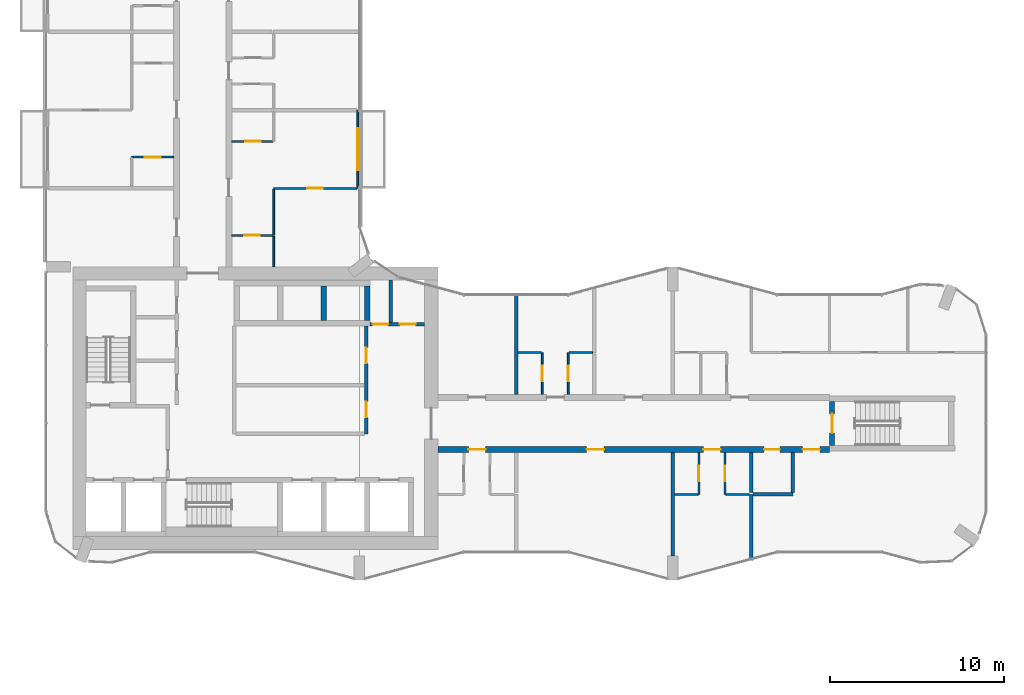
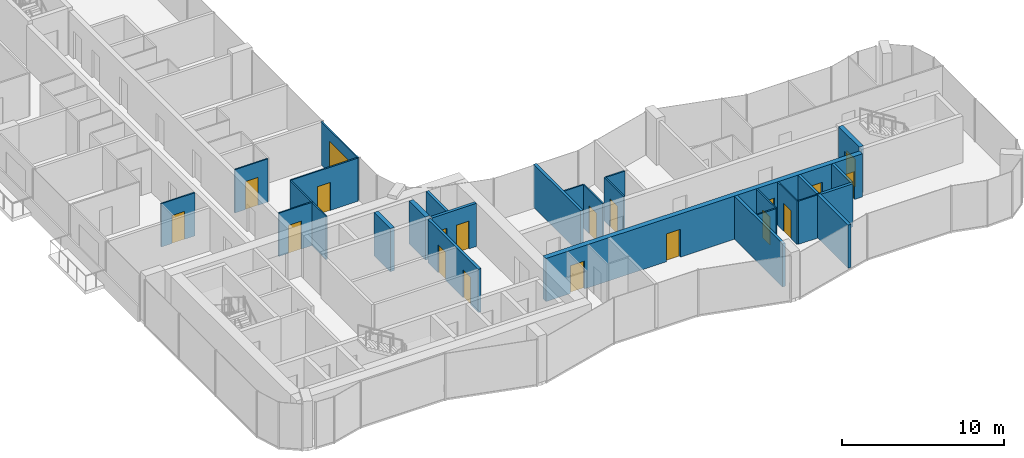
# One storey, part 14 of 22: 28 walls, 19 doors, 19 openings.
"""IFC4 building model written with IfcOpenShell, lengths in metres."""

from ifc_helpers import new_model, si_unit, direction, frame, frame_2d, origin, place, context, subcontext, project, spatial, rectangle, extrude, material, layer, layer_set, type_object, element, fill, save


model = new_model("IFC4")

# Units and contexts
model_context = context("Model", 3, precision=1e-05, world=origin(), true_north=direction((0.0, 1.0)))
body_context = subcontext(model_context, "Body", "Model", "MODEL_VIEW")
ifc_project = project(units=[si_unit("LENGTHUNIT", "METRE"), si_unit("AREAUNIT", "SQUARE_METRE"), si_unit("VOLUMEUNIT", "CUBIC_METRE"), si_unit("PLANEANGLEUNIT", "RADIAN"), si_unit("MASSUNIT", "GRAM", prefix="KILO")], contexts=[model_context])

# Site, building, storey
site_placement = place(None, origin())
site = spatial("IfcSite", under=ifc_project, at=site_placement, CompositionType="ELEMENT")
building_placement = place(site_placement, origin())
building = spatial("IfcBuilding", under=site, at=building_placement, Name="Plateau Cross Towers", CompositionType="ELEMENT")
storey_placement = place(building_placement, frame((0.0, 0.0, 58.300048828125)))
storey = spatial("IfcBuildingStorey", under=building, at=storey_placement, Name="L14", CompositionType="ELEMENT", Elevation=58.300048828125)

# Wall, opening, door
ifc_material_1 = material(Name="Aluminium framed glazing", Category="aluminium")
ifc_layer_1 = layer(ifc_material_1, 0.10009765625)
ifc_layer_set_1 = layer_set([ifc_layer_1], Name="Aluminium framed glazing")
wall_type_1 = type_object("IfcWallType", Name="Balcony screen wall 100", PredefinedType="STANDARD", material=ifc_layer_set_1)
wall_1_placement = place(storey_placement, frame((17.89990234375, 27.0, 0.0), z_axis=(0.0, 0.0, 1.0), x_axis=(0.0, -1.0, 0.0)))
wall_1 = element("IfcWall", 1, at=wall_1_placement, inside=storey, type_object=wall_type_1, Name="Balcony screen wall A-BAL-L14-04", PredefinedType="STANDARD", context=body_context, shape_type="SweptSolid", body=[
    extrude(rectangle(XDim=4.5, YDim=0.10009765625, at=frame_2d((2.25, 0.0))), origin(), (0.0, 0.0, 1.0), 3.25),
])
opening_1_placement = place(wall_1_placement, frame((1.050048828125, 0.0, 0.0)))
opening_1 = element("IfcOpeningElement", 2, at=opening_1_placement, cuts=wall_1, Name="Opening D-B24", PredefinedType="OPENING", context=body_context, shape_type="SweptSolid", body=[
    extrude(rectangle(XDim=2.39990234375, YDim=2.39990234375, at=frame_2d((1.199951171875, 1.199951171875))), frame((0.0, 0.06005859375, 0.0), z_axis=(0.0, -1.0, 0.0), x_axis=(1.0, 0.0, 0.0)), (0.0, 0.0, 1.0), 0.1201171875),
])
ifc_material_2 = material(Name="Aluminium frame, double glazing", Category="aluminium")
door_type_1 = type_object("IfcDoorType", Name="Balcony sliding door 2400", OperationType="NOTDEFINED", PredefinedType="DOOR", material=ifc_material_2)
door_1_placement = place(opening_1_placement, origin())
door_1 = element("IfcDoor", 3, at=door_1_placement, inside=storey, type_object=door_type_1, Name="Balcony door A-BAL-L14-04", OperationType="SINGLE_SWING_LEFT", OverallHeight=2.39990234375, OverallWidth=2.39990234375, PredefinedType="DOOR", context=body_context, shape_type="SweptSolid", body=[
    extrude(rectangle(XDim=2.39990234375, YDim=2.39990234375, at=frame_2d((1.199951171875, 1.199951171875))), frame((0.0, 0.02490234375, 0.0), z_axis=(0.0, -1.0, 0.0), x_axis=(1.0, 0.0, 0.0)), (0.0, 0.0, 1.0), 0.050048828125),
])
fill(opening_1, door_1)

# Wall, openings, doors
ifc_material_3 = material(Name="Concrete block, plastered both sides", Category="concrete")
ifc_layer_2 = layer(ifc_material_3, 0.199951171875)
ifc_layer_set_2 = layer_set([ifc_layer_2], Name="Concrete block, plastered both sides")
wall_type_2 = type_object("IfcWallType", Name="Core partition 200", PredefinedType="PARTITIONING", material=ifc_layer_set_2)
wall_2_placement = place(storey_placement, frame((18.39990234375, 8.39990234375, 0.0), z_axis=(0.0, 0.0, 1.0), x_axis=(0.0, 1.0, 0.0)))
wall_2 = element("IfcWall", 4, at=wall_2_placement, inside=storey, type_object=wall_type_2, Name="Core partition", PredefinedType="PARTITIONING", context=body_context, shape_type="SweptSolid", body=[
    extrude(rectangle(XDim=6.2001953125, YDim=0.199951171875, at=frame_2d((3.10009765625, 0.0))), origin(), (0.0, 0.0, 1.0), 3.25),
])
opening_2_placement = place(wall_2_placement, frame((0.949951171875, 0.0, 0.0)))
opening_2 = element("IfcOpeningElement", 5, at=opening_2_placement, cuts=wall_2, Name="Opening RD1", PredefinedType="OPENING", context=body_context, shape_type="SweptSolid", body=[
    extrude(rectangle(XDim=0.89990234375, YDim=2.10009765625, at=frame_2d((0.449951171875, 1.050048828125))), frame((0.0, 0.10986328125, 0.0), z_axis=(0.0, -1.0, 0.0), x_axis=(1.0, 0.0, 0.0)), (0.0, 0.0, 1.0), 0.219970703125),
])
opening_3_placement = place(wall_2_placement, frame((4.050048828125, 0.0, 0.0)))
opening_3 = element("IfcOpeningElement", 6, at=opening_3_placement, cuts=wall_2, Name="Opening RD1", PredefinedType="OPENING", context=body_context, shape_type="SweptSolid", body=[
    extrude(rectangle(XDim=0.89990234375, YDim=2.10009765625, at=frame_2d((0.449951171875, 1.050048828125))), frame((0.0, 0.10986328125, 0.0), z_axis=(0.0, -1.0, 0.0), x_axis=(1.0, 0.0, 0.0)), (0.0, 0.0, 1.0), 0.219970703125),
])
ifc_material_4 = material(Name="Timber, fire-resisting leaf", Category="wood")
door_type_2 = type_object("IfcDoorType", Name="Core service door 900", OperationType="NOTDEFINED", PredefinedType="DOOR", material=ifc_material_4)
door_2_placement = place(opening_2_placement, origin())
door_2 = element("IfcDoor", 7, at=door_2_placement, inside=storey, type_object=door_type_2, Name="Core service door RD1", OperationType="SINGLE_SWING_LEFT", OverallHeight=2.10009765625, OverallWidth=0.89990234375, PredefinedType="DOOR", context=body_context, shape_type="SweptSolid", body=[
    extrude(rectangle(XDim=0.89990234375, YDim=2.10009765625, at=frame_2d((0.449951171875, 1.050048828125))), frame((0.0, 0.02490234375, 0.0), z_axis=(0.0, -1.0, 0.0), x_axis=(1.0, 0.0, 0.0)), (0.0, 0.0, 1.0), 0.050048828125),
])
fill(opening_2, door_2)
door_3_placement = place(opening_3_placement, origin())
door_3 = element("IfcDoor", 8, at=door_3_placement, inside=storey, type_object=door_type_2, Name="Core service door RD1", OperationType="SINGLE_SWING_LEFT", OverallHeight=2.10009765625, OverallWidth=0.89990234375, PredefinedType="DOOR", context=body_context, shape_type="SweptSolid", body=[
    extrude(rectangle(XDim=0.89990234375, YDim=2.10009765625, at=frame_2d((0.449951171875, 1.050048828125))), frame((0.0, 0.02490234375, 0.0), z_axis=(0.0, -1.0, 0.0), x_axis=(1.0, 0.0, 0.0)), (0.0, 0.0, 1.0), 0.050048828125),
])
fill(opening_3, door_3)

wall_3_placement = place(storey_placement, frame((18.60009765625, 14.699951171875, 0.0), z_axis=(0.0, 0.0, 1.0), x_axis=(1.0, 0.0, 0.0)))
wall_3 = element("IfcWall", 9, at=wall_3_placement, inside=storey, type_object=wall_type_2, Name="Core partition", PredefinedType="PARTITIONING", context=body_context, shape_type="SweptSolid", body=[
    extrude(rectangle(XDim=3.14990234375, YDim=0.199951171875, at=frame_2d((1.574951171875, 0.0))), origin(), (0.0, 0.0, 1.0), 3.25),
])
opening_4_placement = place(wall_3_placement, frame((0.14990234375, 0.0, 0.0)))
opening_4 = element("IfcOpeningElement", 10, at=opening_4_placement, cuts=wall_3, Name="Opening RD2", PredefinedType="OPENING", context=body_context, shape_type="SweptSolid", body=[
    extrude(rectangle(XDim=0.89990234375, YDim=2.10009765625, at=frame_2d((0.449951171875, 1.050048828125))), frame((0.0, 0.10986328125, 0.0), z_axis=(0.0, -1.0, 0.0), x_axis=(1.0, 0.0, 0.0)), (0.0, 0.0, 1.0), 0.219970703125),
])
opening_5_placement = place(wall_3_placement, frame((1.72509765625, 0.0, 0.0)))
opening_5 = element("IfcOpeningElement", 11, at=opening_5_placement, cuts=wall_3, Name="Opening RD2", PredefinedType="OPENING", context=body_context, shape_type="SweptSolid", body=[
    extrude(rectangle(XDim=0.89990234375, YDim=2.10009765625, at=frame_2d((0.449951171875, 1.050048828125))), frame((0.0, 0.10986328125, 0.0), z_axis=(0.0, -1.0, 0.0), x_axis=(1.0, 0.0, 0.0)), (0.0, 0.0, 1.0), 0.219970703125),
])
ifc_material_5 = material(Name="Steel, fire-resisting leaf", Category="steel")
door_type_3 = type_object("IfcDoorType", Name="Core riser door 900", OperationType="NOTDEFINED", PredefinedType="DOOR", material=ifc_material_5)
door_4_placement = place(opening_4_placement, origin())
door_4 = element("IfcDoor", 12, at=door_4_placement, inside=storey, type_object=door_type_3, Name="Core riser door RD2", OperationType="SINGLE_SWING_LEFT", OverallHeight=2.10009765625, OverallWidth=0.89990234375, PredefinedType="DOOR", context=body_context, shape_type="SweptSolid", body=[
    extrude(rectangle(XDim=0.89990234375, YDim=2.10009765625, at=frame_2d((0.449951171875, 1.050048828125))), frame((0.0, 0.02490234375, 0.0), z_axis=(0.0, -1.0, 0.0), x_axis=(1.0, 0.0, 0.0)), (0.0, 0.0, 1.0), 0.050048828125),
])
fill(opening_4, door_4)
door_5_placement = place(opening_5_placement, origin())
door_5 = element("IfcDoor", 13, at=door_5_placement, inside=storey, type_object=door_type_3, Name="Core riser door RD2", OperationType="SINGLE_SWING_LEFT", OverallHeight=2.10009765625, OverallWidth=0.89990234375, PredefinedType="DOOR", context=body_context, shape_type="SweptSolid", body=[
    extrude(rectangle(XDim=0.89990234375, YDim=2.10009765625, at=frame_2d((0.449951171875, 1.050048828125))), frame((0.0, 0.02490234375, 0.0), z_axis=(0.0, -1.0, 0.0), x_axis=(1.0, 0.0, 0.0)), (0.0, 0.0, 1.0), 0.050048828125),
])
fill(opening_5, door_5)

# Walls
wall_4_placement = place(storey_placement, frame((19.800048828125, 14.800048828125, 0.0), z_axis=(0.0, 0.0, 1.0), x_axis=(0.0, 1.0, 0.0)))
element("IfcWall", 14, at=wall_4_placement, inside=storey, type_object=wall_type_2, Name="Core partition", PredefinedType="PARTITIONING", context=body_context, shape_type="SweptSolid", body=[
    extrude(rectangle(XDim=2.449951171875, YDim=0.199951171875, at=frame_2d((1.22509765625, 0.0))), origin(), (0.0, 0.0, 1.0), 3.25),
])
ifc_material_6 = material(Name="Concrete C60/75", Category="concrete")
ifc_layer_3 = layer(ifc_material_6, 0.300048828125)
ifc_layer_set_3 = layer_set([ifc_layer_3], Name="Concrete C60/75")
wall_type_3 = type_object("IfcWallType", Name="Core shaft wall 300", PredefinedType="SHEAR", material=ifc_layer_set_3)
for number, where, z_axis, x_axis, name in (
    (15, (15.949951171875, 14.89990234375, 0.0), (0.0, 0.0, 1.0), (0.0, 1.0, 0.0), "A-nb-v3@L14"),
    (16, (18.449951171875, 14.89990234375, 0.0), (0.0, 0.0, 1.0), (0.0, 1.0, 0.0), "A-nb-v4@L14"),
):
    element("IfcWall", number, at=place(storey_placement, frame(where, z_axis=z_axis, x_axis=x_axis)), inside=storey, type_object=wall_type_3, Name=name, PredefinedType="SHEAR", context=body_context, shape_type="SweptSolid", body=[
        extrude(rectangle(XDim=2.0, YDim=0.300048828125, at=frame_2d((1.0, 0.0))), origin(), (0.0, 0.0, 1.0), 3.25),
    ])

# Wall, openings, doors
ifc_layer_4 = layer(ifc_material_6, 0.35009765625)
ifc_layer_set_4 = layer_set([ifc_layer_4], Name="Concrete C60/75")
wall_type_4 = type_object("IfcWallType", Name="Corridor wall 350", PredefinedType="SHEAR", material=ifc_layer_set_4)
wall_5_placement = place(storey_placement, frame((22.5, 7.5, 0.0), z_axis=(0.0, 0.0, 1.0), x_axis=(1.0, 0.0, 0.0)))
wall_5 = element("IfcWall", 17, at=wall_5_placement, inside=storey, type_object=wall_type_4, Name="A-cw-S1@L14", PredefinedType="SHEAR", context=body_context, shape_type="SweptSolid", body=[
    extrude(rectangle(XDim=22.5, YDim=0.35009765625, at=frame_2d((11.25, 0.0))), origin(), (0.0, 0.0, 1.0), 3.25),
])
opening_6_placement = place(wall_5_placement, frame((1.75, 0.0, 0.0)))
opening_6 = element("IfcOpeningElement", 18, at=opening_6_placement, cuts=wall_5, Name="Opening 14-01", PredefinedType="OPENING", context=body_context, shape_type="SweptSolid", body=[
    extrude(rectangle(XDim=1.0, YDim=2.10009765625, at=frame_2d((0.5, 1.050048828125))), frame((0.0, 0.18505859375, 0.0), z_axis=(0.0, -1.0, 0.0), x_axis=(1.0, 0.0, 0.0)), (0.0, 0.0, 1.0), 0.3701171875),
])
opening_7_placement = place(wall_5_placement, frame((8.550048828125, 0.0, 0.0)))
opening_7 = element("IfcOpeningElement", 19, at=opening_7_placement, cuts=wall_5, Name="Opening 14-02", PredefinedType="OPENING", context=body_context, shape_type="SweptSolid", body=[
    extrude(rectangle(XDim=1.0, YDim=2.10009765625, at=frame_2d((0.5, 1.050048828125))), frame((0.0, 0.18505859375, 0.0), z_axis=(0.0, -1.0, 0.0), x_axis=(1.0, 0.0, 0.0)), (0.0, 0.0, 1.0), 0.3701171875),
])
opening_8_placement = place(wall_5_placement, frame((15.25, 0.0, 0.0)))
opening_8 = element("IfcOpeningElement", 20, at=opening_8_placement, cuts=wall_5, Name="Opening 14-03", PredefinedType="OPENING", context=body_context, shape_type="SweptSolid", body=[
    extrude(rectangle(XDim=1.0, YDim=2.10009765625, at=frame_2d((0.5, 1.050048828125))), frame((0.0, 0.18505859375, 0.0), z_axis=(0.0, -1.0, 0.0), x_axis=(1.0, 0.0, 0.0)), (0.0, 0.0, 1.0), 0.3701171875),
])
opening_9_placement = place(wall_5_placement, frame((18.75, 0.0, 0.0)))
opening_9 = element("IfcOpeningElement", 21, at=opening_9_placement, cuts=wall_5, Name="Opening 14-04", PredefinedType="OPENING", context=body_context, shape_type="SweptSolid", body=[
    extrude(rectangle(XDim=0.89990234375, YDim=2.10009765625, at=frame_2d((0.449951171875, 1.050048828125))), frame((0.0, 0.18505859375, 0.0), z_axis=(0.0, -1.0, 0.0), x_axis=(1.0, 0.0, 0.0)), (0.0, 0.0, 1.0), 0.3701171875),
])
opening_10_placement = place(wall_5_placement, frame((20.949951171875, 0.0, 0.0)))
opening_10 = element("IfcOpeningElement", 22, at=opening_10_placement, cuts=wall_5, Name="Opening 14-05", PredefinedType="OPENING", context=body_context, shape_type="SweptSolid", body=[
    extrude(rectangle(XDim=1.0, YDim=2.10009765625, at=frame_2d((0.5, 1.050048828125))), frame((0.0, 0.18505859375, 0.0), z_axis=(0.0, -1.0, 0.0), x_axis=(1.0, 0.0, 0.0)), (0.0, 0.0, 1.0), 0.3701171875),
])
door_type_4 = type_object("IfcDoorType", Name="Flat entrance door 1000", OperationType="NOTDEFINED", PredefinedType="DOOR", material=ifc_material_4)
door_6_placement = place(opening_6_placement, origin())
door_6 = element("IfcDoor", 23, at=door_6_placement, inside=storey, type_object=door_type_4, Name="Door 14-01", OperationType="SINGLE_SWING_LEFT", OverallHeight=2.10009765625, OverallWidth=1.0, PredefinedType="DOOR", context=body_context, shape_type="SweptSolid", body=[
    extrude(rectangle(XDim=1.0, YDim=2.10009765625, at=frame_2d((0.5, 1.050048828125))), frame((0.0, 0.02490234375, 0.0), z_axis=(0.0, -1.0, 0.0), x_axis=(1.0, 0.0, 0.0)), (0.0, 0.0, 1.0), 0.050048828125),
])
fill(opening_6, door_6)
door_7_placement = place(opening_7_placement, origin())
door_7 = element("IfcDoor", 24, at=door_7_placement, inside=storey, type_object=door_type_4, Name="Door 14-02", OperationType="SINGLE_SWING_LEFT", OverallHeight=2.10009765625, OverallWidth=1.0, PredefinedType="DOOR", context=body_context, shape_type="SweptSolid", body=[
    extrude(rectangle(XDim=1.0, YDim=2.10009765625, at=frame_2d((0.5, 1.050048828125))), frame((0.0, 0.02490234375, 0.0), z_axis=(0.0, -1.0, 0.0), x_axis=(1.0, 0.0, 0.0)), (0.0, 0.0, 1.0), 0.050048828125),
])
fill(opening_7, door_7)
door_8_placement = place(opening_8_placement, origin())
door_8 = element("IfcDoor", 25, at=door_8_placement, inside=storey, type_object=door_type_4, Name="Door 14-03", OperationType="SINGLE_SWING_RIGHT", OverallHeight=2.10009765625, OverallWidth=1.0, PredefinedType="DOOR", context=body_context, shape_type="SweptSolid", body=[
    extrude(rectangle(XDim=1.0, YDim=2.10009765625, at=frame_2d((0.5, 1.050048828125))), frame((0.0, 0.02490234375, 0.0), z_axis=(0.0, -1.0, 0.0), x_axis=(1.0, 0.0, 0.0)), (0.0, 0.0, 1.0), 0.050048828125),
])
fill(opening_8, door_8)
door_9_placement = place(opening_10_placement, origin())
door_9 = element("IfcDoor", 26, at=door_9_placement, inside=storey, type_object=door_type_4, Name="Door 14-05", OperationType="SINGLE_SWING_RIGHT", OverallHeight=2.10009765625, OverallWidth=1.0, PredefinedType="DOOR", context=body_context, shape_type="SweptSolid", body=[
    extrude(rectangle(XDim=1.0, YDim=2.10009765625, at=frame_2d((0.5, 1.050048828125))), frame((0.0, 0.02490234375, 0.0), z_axis=(0.0, -1.0, 0.0), x_axis=(1.0, 0.0, 0.0)), (0.0, 0.0, 1.0), 0.050048828125),
])
fill(opening_10, door_9)
door_type_5 = type_object("IfcDoorType", Name="Flat floor service door 900", OperationType="NOTDEFINED", PredefinedType="DOOR", material=ifc_material_4)
door_10_placement = place(opening_9_placement, origin())
door_10 = element("IfcDoor", 27, at=door_10_placement, inside=storey, type_object=door_type_5, Name="Door 14-04", OperationType="SINGLE_SWING_RIGHT", OverallHeight=2.10009765625, OverallWidth=0.89990234375, PredefinedType="DOOR", context=body_context, shape_type="SweptSolid", body=[
    extrude(rectangle(XDim=0.89990234375, YDim=2.10009765625, at=frame_2d((0.449951171875, 1.050048828125))), frame((0.0, 0.02490234375, 0.0), z_axis=(0.0, -1.0, 0.0), x_axis=(1.0, 0.0, 0.0)), (0.0, 0.0, 1.0), 0.050048828125),
])
fill(opening_9, door_10)

# Walls
ifc_material_7 = material(Name="Gypsum board on steel studs", Category="steel")
ifc_layer_5 = layer(ifc_material_7, 0.10009765625)
ifc_layer_set_5 = layer_set([ifc_layer_5], Name="Gypsum board on steel studs")
wall_type_5 = type_object("IfcWallType", Name="Flat partition 100", PredefinedType="PARTITIONING", material=ifc_layer_set_5)
for number, where, z_axis, x_axis, name in (
    (28, (36.10009765625, 4.925048828125, 0.0), (0.0, 0.0, 1.0), (1.0, 0.0, 0.0), "Partition wall"),
    (29, (39.050048828125, 4.925048828125, 0.0), (0.0, 0.0, 1.0), (1.0, 0.0, 0.0), "Partition wall"),
    (30, (28.449951171875, 13.074951171875, 0.0), (0.0, 0.0, 1.0), (-1.0, 0.0, 0.0), "Partition wall"),
    (31, (31.39990234375, 13.074951171875, 0.0), (0.0, 0.0, 1.0), (-1.0, 0.0, 0.0), "Partition wall"),
):
    element("IfcWall", number, at=place(storey_placement, frame(where, z_axis=z_axis, x_axis=x_axis)), inside=storey, type_object=wall_type_5, Name=name, PredefinedType="PARTITIONING", context=body_context, shape_type="SweptSolid", body=[
        extrude(rectangle(XDim=1.349853515625, YDim=0.10009765625, at=frame_2d((0.6748046875, 0.0))), origin(), (0.0, 0.0, 1.0), 3.25),
    ])

# Wall, opening, door
wall_6_placement = place(storey_placement, frame((13.02490234375, 19.800048828125, 0.0), z_axis=(0.0, 0.0, 1.0), x_axis=(-1.0, 0.0, 0.0)))
wall_6 = element("IfcWall", 32, at=wall_6_placement, inside=storey, type_object=wall_type_5, Name="Partition wall", PredefinedType="PARTITIONING", context=body_context, shape_type="SweptSolid", body=[
    extrude(rectangle(XDim=2.349853515625, YDim=0.10009765625, at=frame_2d((1.1748046875, 0.0))), origin(), (0.0, 0.0, 1.0), 3.25),
])
opening_11_placement = place(wall_6_placement, frame((0.75, 0.0, 0.0)))
opening_11 = element("IfcOpeningElement", 33, at=opening_11_placement, cuts=wall_6, Name="Opening 14-41", PredefinedType="OPENING", context=body_context, shape_type="SweptSolid", body=[
    extrude(rectangle(XDim=0.89990234375, YDim=2.10009765625, at=frame_2d((0.449951171875, 1.050048828125))), frame((0.0, 0.06005859375, 0.0), z_axis=(0.0, -1.0, 0.0), x_axis=(1.0, 0.0, 0.0)), (0.0, 0.0, 1.0), 0.1201171875),
])
ifc_material_8 = material(Name="Timber leaf", Category="wood")
door_type_6 = type_object("IfcDoorType", Name="Flat room door 900", OperationType="NOTDEFINED", PredefinedType="DOOR", material=ifc_material_8)
door_11_placement = place(opening_11_placement, origin())
door_11 = element("IfcDoor", 34, at=door_11_placement, inside=storey, type_object=door_type_6, Name="Door 14-41", OperationType="SINGLE_SWING_RIGHT", OverallHeight=2.10009765625, OverallWidth=0.89990234375, PredefinedType="DOOR", context=body_context, shape_type="SweptSolid", body=[
    extrude(rectangle(XDim=0.89990234375, YDim=2.10009765625, at=frame_2d((0.449951171875, 1.050048828125))), frame((0.0, 0.02490234375, 0.0), z_axis=(0.0, -1.0, 0.0), x_axis=(1.0, 0.0, 0.0)), (0.0, 0.0, 1.0), 0.050048828125),
])
fill(opening_11, door_11)

wall_7_placement = place(storey_placement, frame((17.85009765625, 22.5, 0.0), z_axis=(0.0, 0.0, 1.0), x_axis=(-1.0, 0.0, 0.0)))
wall_7 = element("IfcWall", 35, at=wall_7_placement, inside=storey, type_object=wall_type_5, Name="Partition wall", PredefinedType="PARTITIONING", context=body_context, shape_type="SweptSolid", body=[
    extrude(rectangle(XDim=4.775146484375, YDim=0.10009765625, at=frame_2d((2.3876953125, 0.0))), origin(), (0.0, 0.0, 1.0), 3.25),
])
opening_12_placement = place(wall_7_placement, frame((1.949951171875, 0.0, 0.0)))
opening_12 = element("IfcOpeningElement", 36, at=opening_12_placement, cuts=wall_7, Name="Opening 14-43", PredefinedType="OPENING", context=body_context, shape_type="SweptSolid", body=[
    extrude(rectangle(XDim=0.89990234375, YDim=2.10009765625, at=frame_2d((0.449951171875, 1.050048828125))), frame((0.0, 0.06005859375, 0.0), z_axis=(0.0, -1.0, 0.0), x_axis=(1.0, 0.0, 0.0)), (0.0, 0.0, 1.0), 0.1201171875),
])
door_12_placement = place(opening_12_placement, origin())
door_12 = element("IfcDoor", 37, at=door_12_placement, inside=storey, type_object=door_type_6, Name="Door 14-43", OperationType="SINGLE_SWING_RIGHT", OverallHeight=2.10009765625, OverallWidth=0.89990234375, PredefinedType="DOOR", context=body_context, shape_type="SweptSolid", body=[
    extrude(rectangle(XDim=0.89990234375, YDim=2.10009765625, at=frame_2d((0.449951171875, 1.050048828125))), frame((0.0, 0.02490234375, 0.0), z_axis=(0.0, -1.0, 0.0), x_axis=(1.0, 0.0, 0.0)), (0.0, 0.0, 1.0), 0.050048828125),
])
fill(opening_12, door_12)

wall_8_placement = place(storey_placement, frame((7.324951171875, 24.300048828125, 0.0), z_axis=(0.0, 0.0, 1.0), x_axis=(-1.0, 0.0, 0.0)))
wall_8 = element("IfcWall", 38, at=wall_8_placement, inside=storey, type_object=wall_type_5, Name="Partition wall", PredefinedType="PARTITIONING", context=body_context, shape_type="SweptSolid", body=[
    extrude(rectangle(XDim=2.39990234375, YDim=0.10009765625, at=frame_2d((1.199951171875, 0.0))), origin(), (0.0, 0.0, 1.0), 3.25),
])
opening_13_placement = place(wall_8_placement, frame((0.75, 0.0, 0.0)))
opening_13 = element("IfcOpeningElement", 39, at=opening_13_placement, cuts=wall_8, Name="Opening 14-31", PredefinedType="OPENING", context=body_context, shape_type="SweptSolid", body=[
    extrude(rectangle(XDim=0.89990234375, YDim=2.10009765625, at=frame_2d((0.449951171875, 1.050048828125))), frame((0.0, 0.06005859375, 0.0), z_axis=(0.0, -1.0, 0.0), x_axis=(1.0, 0.0, 0.0)), (0.0, 0.0, 1.0), 0.1201171875),
])
door_13_placement = place(opening_13_placement, origin())
door_13 = element("IfcDoor", 40, at=door_13_placement, inside=storey, type_object=door_type_6, Name="Door 14-31", OperationType="SINGLE_SWING_LEFT", OverallHeight=2.10009765625, OverallWidth=0.89990234375, PredefinedType="DOOR", context=body_context, shape_type="SweptSolid", body=[
    extrude(rectangle(XDim=0.89990234375, YDim=2.10009765625, at=frame_2d((0.449951171875, 1.050048828125))), frame((0.0, 0.02490234375, 0.0), z_axis=(0.0, -1.0, 0.0), x_axis=(1.0, 0.0, 0.0)), (0.0, 0.0, 1.0), 0.050048828125),
])
fill(opening_13, door_13)

wall_9_placement = place(storey_placement, frame((10.675048828125, 25.199951171875, 0.0), z_axis=(0.0, 0.0, 1.0), x_axis=(1.0, 0.0, 0.0)))
wall_9 = element("IfcWall", 41, at=wall_9_placement, inside=storey, type_object=wall_type_5, Name="Partition wall", PredefinedType="PARTITIONING", context=body_context, shape_type="SweptSolid", body=[
    extrude(rectangle(XDim=2.349853515625, YDim=0.10009765625, at=frame_2d((1.1748046875, 0.0))), origin(), (0.0, 0.0, 1.0), 3.25),
])
opening_14_placement = place(wall_9_placement, frame((0.75, 0.0, 0.0)))
opening_14 = element("IfcOpeningElement", 42, at=opening_14_placement, cuts=wall_9, Name="Opening 14-42", PredefinedType="OPENING", context=body_context, shape_type="SweptSolid", body=[
    extrude(rectangle(XDim=0.89990234375, YDim=2.10009765625, at=frame_2d((0.449951171875, 1.050048828125))), frame((0.0, 0.06005859375, 0.0), z_axis=(0.0, -1.0, 0.0), x_axis=(1.0, 0.0, 0.0)), (0.0, 0.0, 1.0), 0.1201171875),
])
door_14_placement = place(opening_14_placement, origin())
door_14 = element("IfcDoor", 43, at=door_14_placement, inside=storey, type_object=door_type_6, Name="Door 14-42", OperationType="SINGLE_SWING_RIGHT", OverallHeight=2.10009765625, OverallWidth=0.89990234375, PredefinedType="DOOR", context=body_context, shape_type="SweptSolid", body=[
    extrude(rectangle(XDim=0.89990234375, YDim=2.10009765625, at=frame_2d((0.449951171875, 1.050048828125))), frame((0.0, 0.02490234375, 0.0), z_axis=(0.0, -1.0, 0.0), x_axis=(1.0, 0.0, 0.0)), (0.0, 0.0, 1.0), 0.050048828125),
])
fill(opening_14, door_14)

# Walls
wall_10_placement = place(storey_placement, frame((13.074951171875, 22.449951171875, 0.0), z_axis=(0.0, 0.0, 1.0), x_axis=(0.0, -1.0, 0.0)))
element("IfcWall", 44, at=wall_10_placement, inside=storey, type_object=wall_type_5, Name="Partition wall", PredefinedType="PARTITIONING", context=body_context, shape_type="SweptSolid", body=[
    extrude(rectangle(XDim=2.64990234375, YDim=0.10009765625, at=frame_2d((1.324951171875, 0.0))), origin(), (0.0, 0.0, 1.0), 3.25),
])
wall_11_placement = place(storey_placement, frame((13.074951171875, 18.0, 0.0), z_axis=(0.0, 0.0, 1.0), x_axis=(0.0, 1.0, 0.0)))
element("IfcWall", 45, at=wall_11_placement, inside=storey, type_object=wall_type_5, Name="Partition wall", PredefinedType="PARTITIONING", context=body_context, shape_type="SweptSolid", body=[
    extrude(rectangle(XDim=1.75, YDim=0.10009765625, at=frame_2d((0.875, 0.0))), origin(), (0.0, 0.0, 1.0), 3.25),
])

# Wall, opening, door
wall_12_placement = place(storey_placement, frame((28.5, 10.675048828125, 0.0), z_axis=(0.0, 0.0, 1.0), x_axis=(0.0, 1.0, 0.0)))
wall_12 = element("IfcWall", 46, at=wall_12_placement, inside=storey, type_object=wall_type_5, Name="Partition wall", PredefinedType="PARTITIONING", context=body_context, shape_type="SweptSolid", body=[
    extrude(rectangle(XDim=2.39990234375, YDim=0.10009765625, at=frame_2d((1.199951171875, 0.0))), origin(), (0.0, 0.0, 1.0), 3.25),
])
opening_15_placement = place(wall_12_placement, frame((0.75, 0.0, 0.0)))
opening_15 = element("IfcOpeningElement", 47, at=opening_15_placement, cuts=wall_12, Name="Opening 14-24", PredefinedType="OPENING", context=body_context, shape_type="SweptSolid", body=[
    extrude(rectangle(XDim=0.89990234375, YDim=2.10009765625, at=frame_2d((0.449951171875, 1.050048828125))), frame((0.0, 0.06005859375, 0.0), z_axis=(0.0, -1.0, 0.0), x_axis=(1.0, 0.0, 0.0)), (0.0, 0.0, 1.0), 0.1201171875),
])
door_15_placement = place(opening_15_placement, origin())
door_15 = element("IfcDoor", 48, at=door_15_placement, inside=storey, type_object=door_type_6, Name="Door 14-24", OperationType="SINGLE_SWING_RIGHT", OverallHeight=2.10009765625, OverallWidth=0.89990234375, PredefinedType="DOOR", context=body_context, shape_type="SweptSolid", body=[
    extrude(rectangle(XDim=0.89990234375, YDim=2.10009765625, at=frame_2d((0.449951171875, 1.050048828125))), frame((0.0, 0.02490234375, 0.0), z_axis=(0.0, -1.0, 0.0), x_axis=(1.0, 0.0, 0.0)), (0.0, 0.0, 1.0), 0.050048828125),
])
fill(opening_15, door_15)

wall_13_placement = place(storey_placement, frame((30.0, 13.074951171875, 0.0), z_axis=(0.0, 0.0, 1.0), x_axis=(0.0, -1.0, 0.0)))
wall_13 = element("IfcWall", 49, at=wall_13_placement, inside=storey, type_object=wall_type_5, Name="Partition wall", PredefinedType="PARTITIONING", context=body_context, shape_type="SweptSolid", body=[
    extrude(rectangle(XDim=2.39990234375, YDim=0.10009765625, at=frame_2d((1.199951171875, 0.0))), origin(), (0.0, 0.0, 1.0), 3.25),
])
opening_16_placement = place(wall_13_placement, frame((0.75, 0.0, 0.0)))
opening_16 = element("IfcOpeningElement", 50, at=opening_16_placement, cuts=wall_13, Name="Opening 14-25", PredefinedType="OPENING", context=body_context, shape_type="SweptSolid", body=[
    extrude(rectangle(XDim=0.89990234375, YDim=2.10009765625, at=frame_2d((0.449951171875, 1.050048828125))), frame((0.0, 0.06005859375, 0.0), z_axis=(0.0, -1.0, 0.0), x_axis=(1.0, 0.0, 0.0)), (0.0, 0.0, 1.0), 0.1201171875),
])
door_16_placement = place(opening_16_placement, origin())
door_16 = element("IfcDoor", 51, at=door_16_placement, inside=storey, type_object=door_type_6, Name="Door 14-25", OperationType="SINGLE_SWING_RIGHT", OverallHeight=2.10009765625, OverallWidth=0.89990234375, PredefinedType="DOOR", context=body_context, shape_type="SweptSolid", body=[
    extrude(rectangle(XDim=0.89990234375, YDim=2.10009765625, at=frame_2d((0.449951171875, 1.050048828125))), frame((0.0, 0.02490234375, 0.0), z_axis=(0.0, -1.0, 0.0), x_axis=(1.0, 0.0, 0.0)), (0.0, 0.0, 1.0), 0.050048828125),
])
fill(opening_16, door_16)

wall_14_placement = place(storey_placement, frame((37.5, 4.925048828125, 0.0), z_axis=(0.0, 0.0, 1.0), x_axis=(0.0, 1.0, 0.0)))
wall_14 = element("IfcWall", 52, at=wall_14_placement, inside=storey, type_object=wall_type_5, Name="Partition wall", PredefinedType="PARTITIONING", context=body_context, shape_type="SweptSolid", body=[
    extrude(rectangle(XDim=2.39990234375, YDim=0.10009765625, at=frame_2d((1.199951171875, 0.0))), origin(), (0.0, 0.0, 1.0), 3.25),
])
opening_17_placement = place(wall_14_placement, frame((0.75, 0.0, 0.0)))
opening_17 = element("IfcOpeningElement", 53, at=opening_17_placement, cuts=wall_14, Name="Opening 14-22", PredefinedType="OPENING", context=body_context, shape_type="SweptSolid", body=[
    extrude(rectangle(XDim=0.89990234375, YDim=2.10009765625, at=frame_2d((0.449951171875, 1.050048828125))), frame((0.0, 0.06005859375, 0.0), z_axis=(0.0, -1.0, 0.0), x_axis=(1.0, 0.0, 0.0)), (0.0, 0.0, 1.0), 0.1201171875),
])
door_17_placement = place(opening_17_placement, origin())
door_17 = element("IfcDoor", 54, at=door_17_placement, inside=storey, type_object=door_type_6, Name="Door 14-22", OperationType="SINGLE_SWING_LEFT", OverallHeight=2.10009765625, OverallWidth=0.89990234375, PredefinedType="DOOR", context=body_context, shape_type="SweptSolid", body=[
    extrude(rectangle(XDim=0.89990234375, YDim=2.10009765625, at=frame_2d((0.449951171875, 1.050048828125))), frame((0.0, 0.02490234375, 0.0), z_axis=(0.0, -1.0, 0.0), x_axis=(1.0, 0.0, 0.0)), (0.0, 0.0, 1.0), 0.050048828125),
])
fill(opening_17, door_17)

wall_15_placement = place(storey_placement, frame((39.0, 7.324951171875, 0.0), z_axis=(0.0, 0.0, 1.0), x_axis=(0.0, -1.0, 0.0)))
wall_15 = element("IfcWall", 55, at=wall_15_placement, inside=storey, type_object=wall_type_5, Name="Partition wall", PredefinedType="PARTITIONING", context=body_context, shape_type="SweptSolid", body=[
    extrude(rectangle(XDim=2.39990234375, YDim=0.10009765625, at=frame_2d((1.199951171875, 0.0))), origin(), (0.0, 0.0, 1.0), 3.25),
])
opening_18_placement = place(wall_15_placement, frame((0.75, 0.0, 0.0)))
opening_18 = element("IfcOpeningElement", 56, at=opening_18_placement, cuts=wall_15, Name="Opening 14-23", PredefinedType="OPENING", context=body_context, shape_type="SweptSolid", body=[
    extrude(rectangle(XDim=0.89990234375, YDim=2.10009765625, at=frame_2d((0.449951171875, 1.050048828125))), frame((0.0, 0.06005859375, 0.0), z_axis=(0.0, -1.0, 0.0), x_axis=(1.0, 0.0, 0.0)), (0.0, 0.0, 1.0), 0.1201171875),
])
door_18_placement = place(opening_18_placement, origin())
door_18 = element("IfcDoor", 57, at=door_18_placement, inside=storey, type_object=door_type_6, Name="Door 14-23", OperationType="SINGLE_SWING_LEFT", OverallHeight=2.10009765625, OverallWidth=0.89990234375, PredefinedType="DOOR", context=body_context, shape_type="SweptSolid", body=[
    extrude(rectangle(XDim=0.89990234375, YDim=2.10009765625, at=frame_2d((0.449951171875, 1.050048828125))), frame((0.0, 0.02490234375, 0.0), z_axis=(0.0, -1.0, 0.0), x_axis=(1.0, 0.0, 0.0)), (0.0, 0.0, 1.0), 0.050048828125),
])
fill(opening_18, door_18)

# Walls
ifc_material_9 = material(Name="Gypsum board on steel studs, two layers each side", Category="steel")
ifc_layer_6 = layer(ifc_material_9, 0.199951171875)
ifc_layer_set_6 = layer_set([ifc_layer_6], Name="Gypsum board on steel studs, two layers each side")
wall_type_6 = type_object("IfcWallType", Name="Flat party wall 200", PredefinedType="PARTITIONING", material=ifc_layer_set_6)
wall_16_placement = place(storey_placement, frame((40.60009765625, 4.925048828125, 0.0), z_axis=(0.0, 0.0, 1.0), x_axis=(1.0, 0.0, 0.0)))
element("IfcWall", 58, at=wall_16_placement, inside=storey, type_object=wall_type_6, Name="Party wall", PredefinedType="PARTITIONING", context=body_context, shape_type="SweptSolid", body=[
    extrude(rectangle(XDim=2.2998046875, YDim=0.199951171875, at=frame_2d((1.14990234375, 0.0))), origin(), (0.0, 0.0, 1.0), 3.25),
])
wall_17_placement = place(storey_placement, frame((27.0, 10.675048828125, 0.0), z_axis=(0.0, 0.0, 1.0), x_axis=(0.0, 1.0, 0.0)))
element("IfcWall", 59, at=wall_17_placement, inside=storey, type_object=wall_type_6, Name="Party wall", PredefinedType="PARTITIONING", context=body_context, shape_type="SweptSolid", body=[
    extrude(rectangle(XDim=5.798095703125, YDim=0.199951171875, at=frame_2d((2.89892578125, 0.0))), origin(), (0.0, 0.0, 1.0), 3.25),
])
wall_18_placement = place(storey_placement, frame((36.0, 1.39990234375, 0.0), z_axis=(0.0, 0.0, 1.0), x_axis=(0.0, 1.0, 0.0)))
element("IfcWall", 60, at=wall_18_placement, inside=storey, type_object=wall_type_6, Name="Party wall", PredefinedType="PARTITIONING", context=body_context, shape_type="SweptSolid", body=[
    extrude(rectangle(XDim=5.925048828125, YDim=0.199951171875, at=frame_2d((2.96240234375, 0.0))), origin(), (0.0, 0.0, 1.0), 3.25),
])
wall_19_placement = place(storey_placement, frame((40.5, 4.925048828125, 0.0), z_axis=(0.0, 0.0, 1.0), x_axis=(0.0, -1.0, 0.0)))
element("IfcWall", 61, at=wall_19_placement, inside=storey, type_object=wall_type_6, Name="Party wall", PredefinedType="PARTITIONING", context=body_context, shape_type="SweptSolid", body=[
    extrude(rectangle(XDim=3.802734375, YDim=0.199951171875, at=frame_2d((1.9013671875, 0.0))), origin(), (0.0, 0.0, 1.0), 3.25),
])
for number, where, z_axis, x_axis, name in (
    (62, (40.5, 5.02490234375, 0.0), (0.0, 0.0, 1.0), (0.0, 1.0, 0.0), "Party wall"),
    (63, (42.89990234375, 5.02490234375, 0.0), (0.0, 0.0, 1.0), (0.0, 1.0, 0.0), "Party wall"),
):
    element("IfcWall", number, at=place(storey_placement, frame(where, z_axis=z_axis, x_axis=x_axis)), inside=storey, type_object=wall_type_6, Name=name, PredefinedType="PARTITIONING", context=body_context, shape_type="SweptSolid", body=[
        extrude(rectangle(XDim=2.300048828125, YDim=0.199951171875, at=frame_2d((1.14990234375, 0.0))), origin(), (0.0, 0.0, 1.0), 3.25),
    ])

# Wall, opening, door
ifc_layer_7 = layer(ifc_material_6, 0.300048828125)
ifc_layer_set_7 = layer_set([ifc_layer_7], Name="Concrete C60/75")
wall_type_7 = type_object("IfcWallType", Name="Stair tower wall 300", PredefinedType="SHEAR", material=ifc_layer_set_7)
wall_20_placement = place(storey_placement, frame((45.14990234375, 7.72509765625, 0.0), z_axis=(0.0, 0.0, 1.0), x_axis=(0.0, 1.0, 0.0)))
wall_20 = element("IfcWall", 64, at=wall_20_placement, inside=storey, type_object=wall_type_7, Name="A-end-E-W@L14", PredefinedType="SHEAR", context=body_context, shape_type="SweptSolid", body=[
    extrude(rectangle(XDim=2.5498046875, YDim=0.300048828125, at=frame_2d((1.27490234375, 0.0))), origin(), (0.0, 0.0, 1.0), 3.5),
])
opening_19_placement = place(wall_20_placement, frame((0.72509765625, 0.0, 0.0)))
opening_19 = element("IfcOpeningElement", 65, at=opening_19_placement, cuts=wall_20, Name="Opening SD", PredefinedType="OPENING", context=body_context, shape_type="SweptSolid", body=[
    extrude(rectangle(XDim=1.10009765625, YDim=2.10009765625, at=frame_2d((0.550048828125, 1.050048828125))), frame((0.0, 0.159912109375, 0.0), z_axis=(0.0, -1.0, 0.0), x_axis=(1.0, 0.0, 0.0)), (0.0, 0.0, 1.0), 0.320068359375),
])
door_type_7 = type_object("IfcDoorType", Name="Stair door 1100", OperationType="NOTDEFINED", PredefinedType="DOOR", material=ifc_material_5)
door_19_placement = place(opening_19_placement, origin())
door_19 = element("IfcDoor", 66, at=door_19_placement, inside=storey, type_object=door_type_7, Name="Stair door SD", OperationType="SINGLE_SWING_LEFT", OverallHeight=2.10009765625, OverallWidth=1.10009765625, PredefinedType="DOOR", context=body_context, shape_type="SweptSolid", body=[
    extrude(rectangle(XDim=1.10009765625, YDim=2.10009765625, at=frame_2d((0.550048828125, 1.050048828125))), frame((0.0, 0.02490234375, 0.0), z_axis=(0.0, -1.0, 0.0), x_axis=(1.0, 0.0, 0.0)), (0.0, 0.0, 1.0), 0.050048828125),
])
fill(opening_19, door_19)

save(model, "model.ifc")
